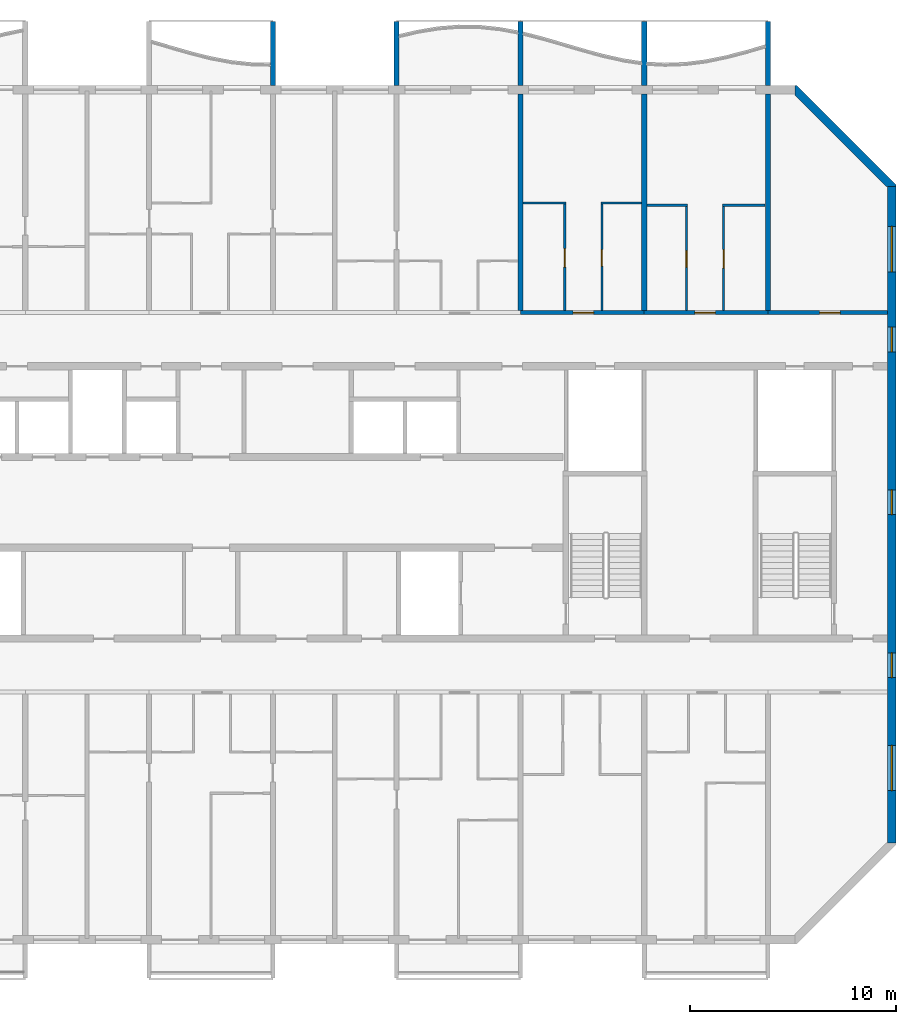
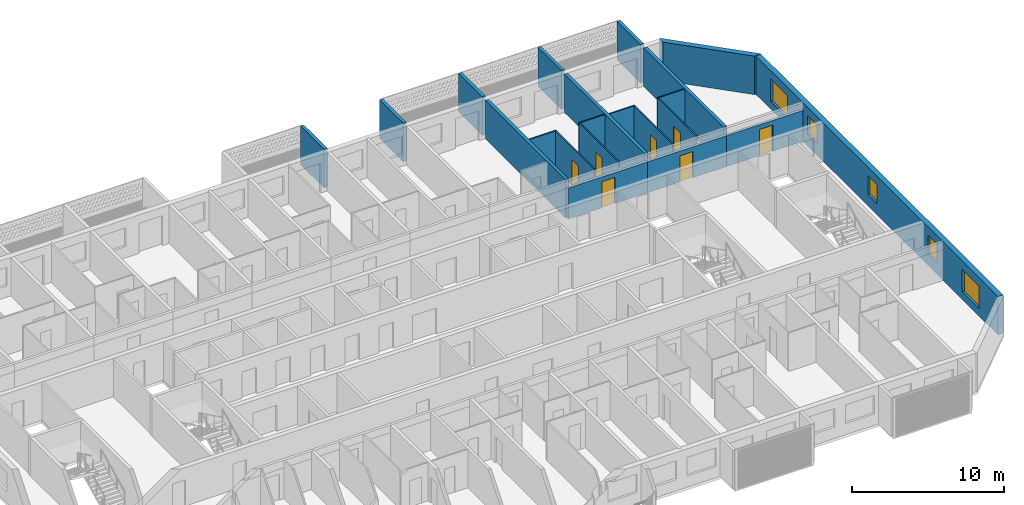
# One storey, part 10 of 26: 21 walls, 7 doors, 5 windows, 12 openings.
"""IFC4 building model written with IfcOpenShell, lengths in metres."""

from ifc_helpers import new_model, si_unit, direction, frame, frame_2d, origin, place, context, subcontext, project, spatial, polyline, rectangle, outline, extrude, source, transform, mapped, material, layer, layer_set, type_object, element, fill, save


model = new_model("IFC4")

# Units and contexts
model_context = context("Model", 3, precision=1e-05, world=origin(), true_north=direction((0.0, 1.0)))
body_context = subcontext(model_context, "Body", "Model", "MODEL_VIEW")
ifc_project = project(units=[si_unit("LENGTHUNIT", "METRE"), si_unit("AREAUNIT", "SQUARE_METRE"), si_unit("VOLUMEUNIT", "CUBIC_METRE"), si_unit("PLANEANGLEUNIT", "RADIAN"), si_unit("MASSUNIT", "GRAM", prefix="KILO")], contexts=[model_context])

# Site, building, storey
site_placement = place(None, origin())
site = spatial("IfcSite", under=ifc_project, at=site_placement, CompositionType="ELEMENT")
building_placement = place(site_placement, origin())
building = spatial("IfcBuilding", under=site, at=building_placement, Name="Poui Terraces", CompositionType="ELEMENT")
storey_placement = place(building_placement, frame((0.0, 0.0, 221.39990234375)))
storey = spatial("IfcBuildingStorey", under=building, at=storey_placement, Name="L61", CompositionType="ELEMENT", Elevation=221.39990234375)

# Wall, opening, door
ifc_material_1 = material(Name="Concrete 50 MPa", Category="concrete")
ifc_layer_1 = layer(ifc_material_1, 0.199951171875)
ifc_layer_set_1 = layer_set([ifc_layer_1], Name="Concrete 50 MPa")
wall_type_1 = type_object("IfcWallType", Name="CORRIDOR WALL 200 50MPa", PredefinedType="SHEAR", material=ifc_layer_set_1)
wall_1_placement = place(storey_placement, frame((66.0, 30.39990234375, 0.0), z_axis=(0.0, 0.0, 1.0), x_axis=(1.0, 0.0, 0.0)))
wall_1 = element("IfcWall", 1, at=wall_1_placement, inside=storey, type_object=wall_type_1, Name="CORRIDOR WALL LINE E BAY 9", PredefinedType="SHEAR", context=body_context, shape_type="SweptSolid", body=[
    extrude(rectangle(XDim=6.0, YDim=0.199951171875, at=frame_2d((3.0, 0.0))), origin(), (0.0, 0.0, 1.0), 2.47998046875),
])
opening_1_placement = place(wall_1_placement, frame((2.550048828125, 0.0, 0.0)))
opening_1 = element("IfcOpeningElement", 2, at=opening_1_placement, cuts=wall_1, Name="Opening FD30S", PredefinedType="OPENING", context=body_context, shape_type="SweptSolid", body=[
    extrude(rectangle(XDim=1.0, YDim=2.10009765625, at=frame_2d((0.5, 1.050048828125))), frame((0.0, 0.10986328125, 0.0), z_axis=(0.0, -1.0, 0.0), x_axis=(1.0, 0.0, 0.0)), (0.0, 0.0, 1.0), 0.219970703125),
])
ifc_material_2 = material(Name="Steel fire door", Category="steel")
door_type_1 = type_object("IfcDoorType", Name="FLAT ENTRANCE DOOR 1000 X 2100", OperationType="NOTDEFINED", PredefinedType="DOOR", material=ifc_material_2)
door_1_placement = place(opening_1_placement, origin())
door_1 = element("IfcDoor", 3, at=door_1_placement, inside=storey, type_object=door_type_1, Name="FLAT ENTRANCE DOOR 052", OperationType="SINGLE_SWING_RIGHT", OverallHeight=2.10009765625, OverallWidth=1.0, PredefinedType="DOOR", context=body_context, shape_type="SweptSolid", body=[
    extrude(rectangle(XDim=1.0, YDim=2.10009765625, at=frame_2d((0.5, 1.050048828125))), frame((0.0, 0.02490234375, 0.0), z_axis=(0.0, -1.0, 0.0), x_axis=(1.0, 0.0, 0.0)), (0.0, 0.0, 1.0), 0.050048828125),
])
fill(opening_1, door_1)

wall_2_placement = place(storey_placement, frame((72.0, 30.39990234375, 0.0), z_axis=(0.0, 0.0, 1.0), x_axis=(1.0, 0.0, 0.0)))
wall_2 = element("IfcWall", 4, at=wall_2_placement, inside=storey, type_object=wall_type_1, Name="CORRIDOR WALL LINE E BAY 10", PredefinedType="SHEAR", context=body_context, shape_type="SweptSolid", body=[
    extrude(rectangle(XDim=6.0, YDim=0.199951171875, at=frame_2d((3.0, 0.0))), origin(), (0.0, 0.0, 1.0), 2.47998046875),
])
opening_2_placement = place(wall_2_placement, frame((2.449951171875, 0.0, 0.0)))
opening_2 = element("IfcOpeningElement", 5, at=opening_2_placement, cuts=wall_2, Name="Opening FD30S", PredefinedType="OPENING", context=body_context, shape_type="SweptSolid", body=[
    extrude(rectangle(XDim=1.0, YDim=2.10009765625, at=frame_2d((0.5, 1.050048828125))), frame((0.0, 0.10986328125, 0.0), z_axis=(0.0, -1.0, 0.0), x_axis=(1.0, 0.0, 0.0)), (0.0, 0.0, 1.0), 0.219970703125),
])
door_2_placement = place(opening_2_placement, origin())
door_2 = element("IfcDoor", 6, at=door_2_placement, inside=storey, type_object=door_type_1, Name="FLAT ENTRANCE DOOR 055", OperationType="SINGLE_SWING_LEFT", OverallHeight=2.10009765625, OverallWidth=1.0, PredefinedType="DOOR", context=body_context, shape_type="SweptSolid", body=[
    extrude(rectangle(XDim=1.0, YDim=2.10009765625, at=frame_2d((0.5, 1.050048828125))), frame((0.0, 0.02490234375, 0.0), z_axis=(0.0, -1.0, 0.0), x_axis=(1.0, 0.0, 0.0)), (0.0, 0.0, 1.0), 0.050048828125),
])
fill(opening_2, door_2)

wall_3_placement = place(storey_placement, frame((78.0, 30.39990234375, 0.0), z_axis=(0.0, 0.0, 1.0), x_axis=(1.0, 0.0, 0.0)))
wall_3 = element("IfcWall", 7, at=wall_3_placement, inside=storey, type_object=wall_type_1, Name="CORRIDOR WALL LINE E BAY 11", PredefinedType="SHEAR", context=body_context, shape_type="SweptSolid", body=[
    extrude(rectangle(XDim=5.800048828125, YDim=0.199951171875, at=frame_2d((2.89990234375, 0.0))), origin(), (0.0, 0.0, 1.0), 2.47998046875),
])
opening_3_placement = place(wall_3_placement, frame((2.5, 0.0, 0.0)))
opening_3 = element("IfcOpeningElement", 8, at=opening_3_placement, cuts=wall_3, Name="Opening D100", PredefinedType="OPENING", context=body_context, shape_type="SweptSolid", body=[
    extrude(rectangle(XDim=1.0, YDim=2.10009765625, at=frame_2d((0.5, 1.050048828125))), frame((0.0, 0.10986328125, 0.0), z_axis=(0.0, -1.0, 0.0), x_axis=(1.0, 0.0, 0.0)), (0.0, 0.0, 1.0), 0.219970703125),
])
ifc_material_3 = material(Name="Solid core timber door", Category="wood")
door_type_2 = type_object("IfcDoorType", Name="ACCESSIBLE INTERNAL DOOR 1000 X 2100", OperationType="NOTDEFINED", PredefinedType="DOOR", material=ifc_material_3)
door_3_placement = place(opening_3_placement, origin())
door_3 = element("IfcDoor", 9, at=door_3_placement, inside=storey, type_object=door_type_2, Name="ACCESSIBLE INTERNAL DOOR 057", OperationType="SINGLE_SWING_LEFT", OverallHeight=2.10009765625, OverallWidth=1.0, PredefinedType="DOOR", context=body_context, shape_type="SweptSolid", body=[
    extrude(rectangle(XDim=1.0, YDim=2.10009765625, at=frame_2d((0.5, 1.050048828125))), frame((0.0, 0.02490234375, 0.0), z_axis=(0.0, -1.0, 0.0), x_axis=(1.0, 0.0, 0.0)), (0.0, 0.0, 1.0), 0.050048828125),
])
fill(opening_3, door_3)

# Walls
ifc_layer_2 = layer(ifc_material_1, 0.25)
ifc_layer_set_2 = layer_set([ifc_layer_2], Name="Concrete 50 MPa")
wall_type_2 = type_object("IfcWallType", Name="CROSS WALL 250 50MPa", PredefinedType="SHEAR", material=ifc_layer_set_2)
for number, where, z_axis, x_axis, name in (
    (10, (66.0, 30.5, 0.0), (0.0, 0.0, 1.0), (0.0, 1.0, 0.0), "CROSS WALL LINE 12 NORTH"),
    (11, (72.0, 30.5, 0.0), (0.0, 0.0, 1.0), (0.0, 1.0, 0.0), "CROSS WALL LINE 13 NORTH"),
    (12, (78.0, 30.5, 0.0), (0.0, 0.0, 1.0), (0.0, 1.0, 0.0), "CROSS WALL LINE 14 NORTH"),
):
    element("IfcWall", number, at=place(storey_placement, frame(where, z_axis=z_axis, x_axis=x_axis)), inside=storey, type_object=wall_type_2, Name=name, PredefinedType="SHEAR", context=body_context, shape_type="SweptSolid", body=[
        extrude(rectangle(XDim=10.5, YDim=0.25, at=frame_2d((5.25, 0.0))), origin(), (0.0, 0.0, 1.0), 3.080078125),
    ])

# Wall, openings, windows
ifc_layer_3 = layer(ifc_material_1, 0.39990234375)
ifc_layer_set_3 = layer_set([ifc_layer_3], Name="Concrete 50 MPa")
wall_type_3 = type_object("IfcWallType", Name="END WALL 400 50MPa", PredefinedType="SHEAR", material=ifc_layer_set_3)
wall_4_placement = place(storey_placement, frame((84.0, 4.682861328125, 0.0), z_axis=(0.0, 0.0, 1.0), x_axis=(0.0, 1.0, 0.0)))
wall_4 = element("IfcWall", 13, at=wall_4_placement, inside=storey, type_object=wall_type_3, Name="END WALL EAST", PredefinedType="SHEAR", context=body_context, shape_type="SweptSolid", body=[
    extrude(rectangle(XDim=31.834228515625, YDim=0.39990234375, at=frame_2d((15.9169921875, 0.0))), origin(), (0.0, 0.0, 1.0), 3.080078125),
])
opening_4_placement = place(wall_4_placement, frame((23.817138671875, 0.0, 0.89990234375)))
opening_4 = element("IfcOpeningElement", 14, at=opening_4_placement, cuts=wall_4, Name="Opening W2", PredefinedType="OPENING", context=body_context, shape_type="SweptSolid", body=[
    extrude(rectangle(XDim=1.199951171875, YDim=1.5, at=frame_2d((0.60009765625, 0.75))), frame((0.0, 0.2099609375, 0.0), z_axis=(0.0, -1.0, 0.0), x_axis=(1.0, 0.0, 0.0)), (0.0, 0.0, 1.0), 0.419921875),
])
opening_5_placement = place(wall_4_placement, frame((8.01708984375, 0.0, 0.89990234375)))
opening_5 = element("IfcOpeningElement", 15, at=opening_5_placement, cuts=wall_4, Name="Opening W2", PredefinedType="OPENING", context=body_context, shape_type="SweptSolid", body=[
    extrude(rectangle(XDim=1.199951171875, YDim=1.5, at=frame_2d((0.60009765625, 0.75))), frame((0.0, 0.2099609375, 0.0), z_axis=(0.0, -1.0, 0.0), x_axis=(1.0, 0.0, 0.0)), (0.0, 0.0, 1.0), 0.419921875),
])
opening_6_placement = place(wall_4_placement, frame((27.693603515625, 0.0, 0.60009765625)))
opening_6 = element("IfcOpeningElement", 16, at=opening_6_placement, cuts=wall_4, Name="Opening W3", PredefinedType="OPENING", context=body_context, shape_type="SweptSolid", body=[
    extrude(rectangle(XDim=2.199951171875, YDim=1.800048828125, at=frame_2d((1.10009765625, 0.89990234375))), frame((0.0, 0.2099609375, 0.0), z_axis=(0.0, -1.0, 0.0), x_axis=(1.0, 0.0, 0.0)), (0.0, 0.0, 1.0), 0.419921875),
])
opening_7_placement = place(wall_4_placement, frame((2.541015625, 0.0, 0.60009765625)))
opening_7 = element("IfcOpeningElement", 17, at=opening_7_placement, cuts=wall_4, Name="Opening W3", PredefinedType="OPENING", context=body_context, shape_type="SweptSolid", body=[
    extrude(rectangle(XDim=2.199951171875, YDim=1.800048828125, at=frame_2d((1.10009765625, 0.89990234375))), frame((0.0, 0.2099609375, 0.0), z_axis=(0.0, -1.0, 0.0), x_axis=(1.0, 0.0, 0.0)), (0.0, 0.0, 1.0), 0.419921875),
])
opening_8_placement = place(wall_4_placement, frame((15.917236328125, 0.0, 0.89990234375)))
opening_8 = element("IfcOpeningElement", 18, at=opening_8_placement, cuts=wall_4, Name="Opening W2", PredefinedType="OPENING", context=body_context, shape_type="SweptSolid", body=[
    extrude(rectangle(XDim=1.199951171875, YDim=1.5, at=frame_2d((0.60009765625, 0.75))), frame((0.0, 0.2099609375, 0.0), z_axis=(0.0, -1.0, 0.0), x_axis=(1.0, 0.0, 0.0)), (0.0, 0.0, 1.0), 0.419921875),
])
ifc_material_4 = material(Name="Clear glass in aluminium frame", Category="aluminium")
window_type_1 = type_object("IfcWindowType", Name="WINDOW 1200X1500", PartitioningType="SINGLE_PANEL", PredefinedType="WINDOW", material=ifc_material_4)
window_1_placement = place(opening_4_placement, origin())
window_1 = element("IfcWindow", 19, at=window_1_placement, inside=storey, type_object=window_type_1, Name="W2 WINDOW", OverallHeight=1.5, OverallWidth=1.199951171875, PartitioningType="SINGLE_PANEL", PredefinedType="WINDOW", context=body_context, shape_type="SweptSolid", body=[
    extrude(rectangle(XDim=1.199951171875, YDim=1.5, at=frame_2d((0.60009765625, 0.75))), frame((0.0, 0.030029296875, 0.0), z_axis=(0.0, -1.0, 0.0), x_axis=(1.0, 0.0, 0.0)), (0.0, 0.0, 1.0), 0.06005859375),
])
fill(opening_4, window_1)
window_2_placement = place(opening_5_placement, origin())
window_2 = element("IfcWindow", 20, at=window_2_placement, inside=storey, type_object=window_type_1, Name="W2 WINDOW", OverallHeight=1.5, OverallWidth=1.199951171875, PartitioningType="SINGLE_PANEL", PredefinedType="WINDOW", context=body_context, shape_type="SweptSolid", body=[
    extrude(rectangle(XDim=1.199951171875, YDim=1.5, at=frame_2d((0.60009765625, 0.75))), frame((0.0, 0.030029296875, 0.0), z_axis=(0.0, -1.0, 0.0), x_axis=(1.0, 0.0, 0.0)), (0.0, 0.0, 1.0), 0.06005859375),
])
fill(opening_5, window_2)
window_3_placement = place(opening_8_placement, origin())
window_3 = element("IfcWindow", 21, at=window_3_placement, inside=storey, type_object=window_type_1, Name="W2 WINDOW", OverallHeight=1.5, OverallWidth=1.199951171875, PartitioningType="SINGLE_PANEL", PredefinedType="WINDOW", context=body_context, shape_type="SweptSolid", body=[
    extrude(rectangle(XDim=1.199951171875, YDim=1.5, at=frame_2d((0.60009765625, 0.75))), frame((0.0, 0.030029296875, 0.0), z_axis=(0.0, -1.0, 0.0), x_axis=(1.0, 0.0, 0.0)), (0.0, 0.0, 1.0), 0.06005859375),
])
fill(opening_8, window_3)
window_type_2 = type_object("IfcWindowType", Name="WINDOW 2200X1800", PartitioningType="DOUBLE_PANEL_HORIZONTAL", PredefinedType="WINDOW", material=ifc_material_4)
window_4_placement = place(opening_6_placement, origin())
window_4 = element("IfcWindow", 22, at=window_4_placement, inside=storey, type_object=window_type_2, Name="W3 WINDOW", OverallHeight=1.800048828125, OverallWidth=2.199951171875, PartitioningType="DOUBLE_PANEL_HORIZONTAL", PredefinedType="WINDOW", context=body_context, shape_type="SweptSolid", body=[
    extrude(rectangle(XDim=2.199951171875, YDim=1.800048828125, at=frame_2d((1.10009765625, 0.89990234375))), frame((0.0, 0.030029296875, 0.0), z_axis=(0.0, -1.0, 0.0), x_axis=(1.0, 0.0, 0.0)), (0.0, 0.0, 1.0), 0.06005859375),
])
fill(opening_6, window_4)
window_5_placement = place(opening_7_placement, origin())
window_5 = element("IfcWindow", 23, at=window_5_placement, inside=storey, type_object=window_type_2, Name="W3 WINDOW", OverallHeight=1.800048828125, OverallWidth=2.199951171875, PartitioningType="DOUBLE_PANEL_HORIZONTAL", PredefinedType="WINDOW", context=body_context, shape_type="SweptSolid", body=[
    extrude(rectangle(XDim=2.199951171875, YDim=1.800048828125, at=frame_2d((1.10009765625, 0.89990234375))), frame((0.0, 0.030029296875, 0.0), z_axis=(0.0, -1.0, 0.0), x_axis=(1.0, 0.0, 0.0)), (0.0, 0.0, 1.0), 0.06005859375),
])
fill(opening_7, window_5)

# Walls
ifc_material_5 = material(Name="Plasterboard partition")
ifc_layer_4 = layer(ifc_material_5, 0.10009765625)
ifc_layer_set_4 = layer_set([ifc_layer_4], Name="Plasterboard partition")
wall_type_4 = type_object("IfcWallType", Name="FLAT PARTITION 100", PredefinedType="PARTITIONING", material=ifc_layer_set_4)
wall_5_placement = place(storey_placement, frame((72.135009765625, 35.60009765625, 0.0), z_axis=(0.0, 0.0, 1.0), x_axis=(1.0, 0.0, 0.0)))
element("IfcWall", 24, at=wall_5_placement, inside=storey, type_object=wall_type_4, Name="FLAT PARTITION 100", PredefinedType="PARTITIONING", context=body_context, shape_type="SweptSolid", body=[
    extrude(rectangle(XDim=1.965087890625, YDim=0.10009765625, at=frame_2d((0.982421875, 0.0))), origin(), (0.0, 0.0, 1.0), 3.080078125),
])
for number, where, z_axis, x_axis, name in (
    (25, (75.800048828125, 35.60009765625, 0.0), (0.0, 0.0, 1.0), (1.0, 0.0, 0.0), "FLAT PARTITION 100"),
    (26, (66.135009765625, 35.699951171875, 0.0), (0.0, 0.0, 1.0), (1.0, 0.0, 0.0), "FLAT PARTITION 100"),
):
    element("IfcWall", number, at=place(storey_placement, frame(where, z_axis=z_axis, x_axis=x_axis)), inside=storey, type_object=wall_type_4, Name=name, PredefinedType="PARTITIONING", context=body_context, shape_type="SweptSolid", body=[
        extrude(rectangle(XDim=2.06494140625, YDim=0.10009765625, at=frame_2d((1.032470703125, 0.0))), origin(), (0.0, 0.0, 1.0), 3.080078125),
    ])
wall_6_placement = place(storey_placement, frame((69.89990234375, 35.699951171875, 0.0), z_axis=(0.0, 0.0, 1.0), x_axis=(1.0, 0.0, 0.0)))
element("IfcWall", 27, at=wall_6_placement, inside=storey, type_object=wall_type_4, Name="FLAT PARTITION 100", PredefinedType="PARTITIONING", context=body_context, shape_type="SweptSolid", body=[
    extrude(rectangle(XDim=1.965087890625, YDim=0.10009765625, at=frame_2d((0.982421875, 0.0))), origin(), (0.0, 0.0, 1.0), 3.080078125),
])

# Wall, opening, door
wall_7_placement = place(storey_placement, frame((68.14990234375, 30.510009765625, 0.0), z_axis=(0.0, 0.0, 1.0), x_axis=(0.0, 1.0, 0.0)))
wall_7 = element("IfcWall", 28, at=wall_7_placement, inside=storey, type_object=wall_type_4, Name="FLAT PARTITION 100", PredefinedType="PARTITIONING", context=body_context, shape_type="SweptSolid", body=[
    extrude(rectangle(XDim=5.139892578125, YDim=0.10009765625, at=frame_2d((2.56982421875, 0.0))), origin(), (0.0, 0.0, 1.0), 3.080078125),
])
opening_9_placement = place(wall_7_placement, frame((2.090087890625, 0.0, 0.0)))
opening_9 = element("IfcOpeningElement", 29, at=opening_9_placement, cuts=wall_7, Name="Opening D90", PredefinedType="OPENING", context=body_context, shape_type="SweptSolid", body=[
    extrude(rectangle(XDim=0.89990234375, YDim=2.10009765625, at=frame_2d((0.449951171875, 1.050048828125))), frame((0.0, 0.06005859375, 0.0), z_axis=(0.0, -1.0, 0.0), x_axis=(1.0, 0.0, 0.0)), (0.0, 0.0, 1.0), 0.1201171875),
])
door_type_3 = type_object("IfcDoorType", Name="INTERNAL DOOR 900 X 2100", OperationType="NOTDEFINED", PredefinedType="DOOR", material=ifc_material_3)
door_4_placement = place(opening_9_placement, origin())
door_4 = element("IfcDoor", 30, at=door_4_placement, inside=storey, type_object=door_type_3, Name="INTERNAL DOOR 051", OperationType="SINGLE_SWING_LEFT", OverallHeight=2.10009765625, OverallWidth=0.89990234375, PredefinedType="DOOR", context=body_context, shape_type="SweptSolid", body=[
    extrude(rectangle(XDim=0.89990234375, YDim=2.10009765625, at=frame_2d((0.449951171875, 1.050048828125))), frame((0.0, 0.02490234375, 0.0), z_axis=(0.0, -1.0, 0.0), x_axis=(1.0, 0.0, 0.0)), (0.0, 0.0, 1.0), 0.050048828125),
])
fill(opening_9, door_4)

wall_8_placement = place(storey_placement, frame((69.949951171875, 30.510009765625, 0.0), z_axis=(0.0, 0.0, 1.0), x_axis=(0.0, 1.0, 0.0)))
wall_8 = element("IfcWall", 31, at=wall_8_placement, inside=storey, type_object=wall_type_4, Name="FLAT PARTITION 100", PredefinedType="PARTITIONING", context=body_context, shape_type="SweptSolid", body=[
    extrude(rectangle(XDim=5.139892578125, YDim=0.10009765625, at=frame_2d((2.56982421875, 0.0))), origin(), (0.0, 0.0, 1.0), 3.080078125),
])
opening_10_placement = place(wall_8_placement, frame((2.139892578125, 0.0, 0.0)))
opening_10 = element("IfcOpeningElement", 32, at=opening_10_placement, cuts=wall_8, Name="Opening D80", PredefinedType="OPENING", context=body_context, shape_type="SweptSolid", body=[
    extrude(rectangle(XDim=0.800048828125, YDim=2.10009765625, at=frame_2d((0.39990234375, 1.050048828125))), frame((0.0, 0.06005859375, 0.0), z_axis=(0.0, -1.0, 0.0), x_axis=(1.0, 0.0, 0.0)), (0.0, 0.0, 1.0), 0.1201171875),
])
door_type_4 = type_object("IfcDoorType", Name="BATHROOM, LAUNDRY AND STORE DOOR 800 X 2100", OperationType="NOTDEFINED", PredefinedType="DOOR", material=ifc_material_3)
door_5_placement = place(opening_10_placement, frame((0.800048828125, 0.0, 0.0), z_axis=(0.0, 0.0, 1.0), x_axis=(-1.0, 0.0, 0.0)))
door_5 = element("IfcDoor", 33, at=door_5_placement, inside=storey, type_object=door_type_4, Name="BATHROOM, LAUNDRY AND STORE DOOR 053", OperationType="SINGLE_SWING_LEFT", OverallHeight=2.10009765625, OverallWidth=0.800048828125, PredefinedType="DOOR", context=body_context, shape_type="SweptSolid", body=[
    extrude(rectangle(XDim=0.800048828125, YDim=2.10009765625, at=frame_2d((0.39990234375, 1.050048828125))), frame((0.0, 0.02490234375, 0.0), z_axis=(0.0, -1.0, 0.0), x_axis=(1.0, 0.0, 0.0)), (0.0, 0.0, 1.0), 0.050048828125),
])
fill(opening_10, door_5)

wall_9_placement = place(storey_placement, frame((74.050048828125, 30.510009765625, 0.0), z_axis=(0.0, 0.0, 1.0), x_axis=(0.0, 1.0, 0.0)))
wall_9 = element("IfcWall", 34, at=wall_9_placement, inside=storey, type_object=wall_type_4, Name="FLAT PARTITION 100", PredefinedType="PARTITIONING", context=body_context, shape_type="SweptSolid", body=[
    extrude(rectangle(XDim=5.0400390625, YDim=0.10009765625, at=frame_2d((2.52001953125, 0.0))), origin(), (0.0, 0.0, 1.0), 3.080078125),
])
opening_11_placement = place(wall_9_placement, frame((2.090087890625, 0.0, 0.0)))
opening_11 = element("IfcOpeningElement", 35, at=opening_11_placement, cuts=wall_9, Name="Opening D80", PredefinedType="OPENING", context=body_context, shape_type="SweptSolid", body=[
    extrude(rectangle(XDim=0.800048828125, YDim=2.10009765625, at=frame_2d((0.39990234375, 1.050048828125))), frame((0.0, 0.06005859375, 0.0), z_axis=(0.0, -1.0, 0.0), x_axis=(1.0, 0.0, 0.0)), (0.0, 0.0, 1.0), 0.1201171875),
])
door_6_placement = place(opening_11_placement, origin())
door_6 = element("IfcDoor", 36, at=door_6_placement, inside=storey, type_object=door_type_4, Name="BATHROOM, LAUNDRY AND STORE DOOR 054", OperationType="SINGLE_SWING_RIGHT", OverallHeight=2.10009765625, OverallWidth=0.800048828125, PredefinedType="DOOR", context=body_context, shape_type="SweptSolid", body=[
    extrude(rectangle(XDim=0.800048828125, YDim=2.10009765625, at=frame_2d((0.39990234375, 1.050048828125))), frame((0.0, 0.02490234375, 0.0), z_axis=(0.0, -1.0, 0.0), x_axis=(1.0, 0.0, 0.0)), (0.0, 0.0, 1.0), 0.050048828125),
])
fill(opening_11, door_6)

wall_10_placement = place(storey_placement, frame((75.85009765625, 30.510009765625, 0.0), z_axis=(0.0, 0.0, 1.0), x_axis=(0.0, 1.0, 0.0)))
wall_10 = element("IfcWall", 37, at=wall_10_placement, inside=storey, type_object=wall_type_4, Name="FLAT PARTITION 100", PredefinedType="PARTITIONING", context=body_context, shape_type="SweptSolid", body=[
    extrude(rectangle(XDim=5.0400390625, YDim=0.10009765625, at=frame_2d((2.52001953125, 0.0))), origin(), (0.0, 0.0, 1.0), 3.080078125),
])
opening_12_placement = place(wall_10_placement, frame((2.0400390625, 0.0, 0.0)))
opening_12 = element("IfcOpeningElement", 38, at=opening_12_placement, cuts=wall_10, Name="Opening D90", PredefinedType="OPENING", context=body_context, shape_type="SweptSolid", body=[
    extrude(rectangle(XDim=0.89990234375, YDim=2.10009765625, at=frame_2d((0.449951171875, 1.050048828125))), frame((0.0, 0.06005859375, 0.0), z_axis=(0.0, -1.0, 0.0), x_axis=(1.0, 0.0, 0.0)), (0.0, 0.0, 1.0), 0.1201171875),
])
door_7_placement = place(opening_12_placement, frame((0.89990234375, 0.0, 0.0), z_axis=(0.0, 0.0, 1.0), x_axis=(-1.0, 0.0, 0.0)))
door_7 = element("IfcDoor", 39, at=door_7_placement, inside=storey, type_object=door_type_3, Name="INTERNAL DOOR 056", OperationType="SINGLE_SWING_RIGHT", OverallHeight=2.10009765625, OverallWidth=0.89990234375, PredefinedType="DOOR", context=body_context, shape_type="SweptSolid", body=[
    extrude(rectangle(XDim=0.89990234375, YDim=2.10009765625, at=frame_2d((0.449951171875, 1.050048828125))), frame((0.0, 0.02490234375, 0.0), z_axis=(0.0, -1.0, 0.0), x_axis=(1.0, 0.0, 0.0)), (0.0, 0.0, 1.0), 0.050048828125),
])
fill(opening_12, door_7)

# Walls
ifc_material_6 = material(Name="Precast concrete 40 MPa", Category="concrete")
ifc_layer_5 = layer(ifc_material_6, 0.39990234375)
ifc_layer_set_5 = layer_set([ifc_layer_5], Name="Precast concrete 40 MPa")
wall_type_5 = type_object("IfcWallType", Name="TERRACOTTA CLAD CHAMFER WALL 400", PredefinedType="STANDARD", material=ifc_layer_set_5)
wall_11_placement = place(storey_placement, origin())
element("IfcWall", 40, at=wall_11_placement, inside=storey, type_object=wall_type_5, Name="CHAMFER WALL CH03", PredefinedType="STANDARD", context=body_context, shape_type="SweptSolid", body=[
    extrude(outline(polyline([(84.199951171875, 36.51708984375), (84.199951171875, 36.60009765625), (79.39990234375, 41.39990234375), (79.317138671875, 41.39990234375), (79.317138671875, 40.917236328125), (83.71728515625, 36.51708984375), (84.199951171875, 36.51708984375)])), origin(), (0.0, 0.0, 1.0), 3.080078125),
])
ifc_layer_6 = layer(ifc_material_6, 0.25)
ifc_layer_set_6 = layer_set([ifc_layer_6], Name="Precast concrete 40 MPa")
wall_type_6 = type_object("IfcWallType", Name="BALCONY FIN 250", PredefinedType="STANDARD", material=ifc_layer_set_6)
shared_shape = source(origin(), body_context, "Body", "SweptSolid", [
    extrude(outline(polyline([(0.0, 0.0), (0.25, 0.0), (0.25, 3.10009765625), (0.0, 3.10009765625), (0.0, 0.0)])), origin(), (0.0, 0.0, 1.0), 3.10009765625),
])
for number, where, name in (
    (41, (53.875, 41.39990234375, 0.0), "BALCONY FIN"),
    (42, (59.875, 41.39990234375, 0.0), "BALCONY FIN"),
    (43, (65.875, 41.39990234375, 0.0), "BALCONY FIN"),
    (44, (71.875, 41.39990234375, 0.0), "BALCONY FIN"),
    (45, (77.875, 41.39990234375, 0.0), "BALCONY FIN"),
):
    element("IfcWall", number, at=place(storey_placement, frame(where)), inside=storey, type_object=wall_type_6, Name=name, PredefinedType="STANDARD", context=body_context, shape_type="MappedRepresentation", body=[
        mapped(shared_shape, transform((0.0, 0.0, 0.0))),
    ])

save(model, "model.ifc")
